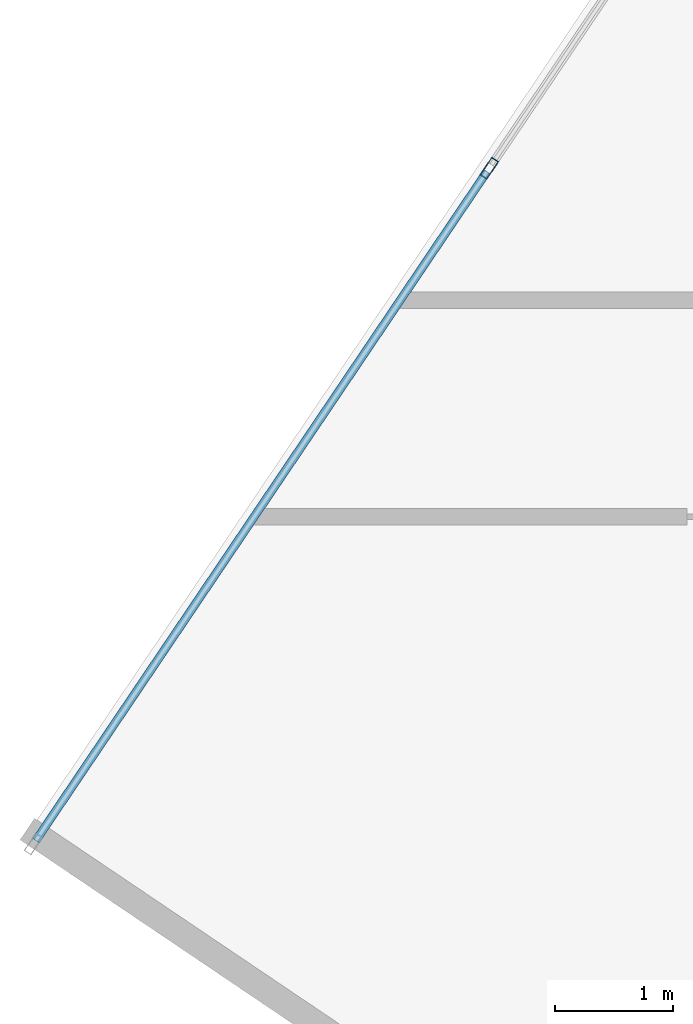
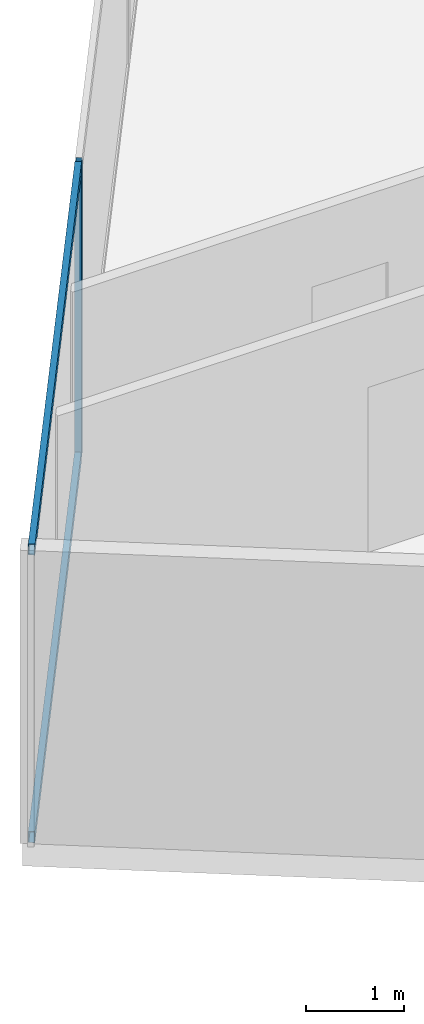
# One storey, part 7 of 27: 3 members, 1 element without a shape of its own.
"""IFC4 building model written with IfcOpenShell, lengths in metres."""

from ifc_helpers import new_model, si_unit, direction, frame, origin, origin_2d, place, context, subcontext, project, spatial, hollow_rectangle, extrude, source, transform, mapped, material, material_profile, profile_set, type_object, type_shapes, element, aggregate, save


model = new_model("IFC4")

# Units and contexts
model_context = context("Model", 3, precision=1e-05, world=origin(), true_north=direction((0.0, 1.0)))
body_context = subcontext(model_context, "Body", "Model", "MODEL_VIEW")
ifc_project = project(units=[si_unit("LENGTHUNIT", "METRE"), si_unit("AREAUNIT", "SQUARE_METRE"), si_unit("VOLUMEUNIT", "CUBIC_METRE"), si_unit("PLANEANGLEUNIT", "RADIAN"), si_unit("MASSUNIT", "GRAM", prefix="KILO")], contexts=[model_context])

# Site, building, storey
site_placement = place(None, origin())
site = spatial("IfcSite", under=ifc_project, at=site_placement, CompositionType="ELEMENT")
building_placement = place(site_placement, origin())
building = spatial("IfcBuilding", under=site, at=building_placement, Name="Krantzveldt Concourse Tower", CompositionType="ELEMENT")
storey_placement = place(building_placement, frame((0.0, 0.0, 185.699951171875)))
storey = spatial("IfcBuildingStorey", under=building, at=storey_placement, Name="L45", CompositionType="ELEMENT", Elevation=185.699951171875)

# Curtain wall, members
ifc_material = material(Name="Anodised aluminium 6063-T6", Category="aluminium")
curtain_wall_type = type_object("IfcCurtainWallType", Name="CW3", PredefinedType="USERDEFINED", material=ifc_material)
curtain_wall_placement = place(storey_placement, origin())
curtain_wall = element("IfcCurtainWall", 1, at=curtain_wall_placement, inside=storey, type_object=curtain_wall_type, Name="CW-L45-F01", ObjectType="UNITISED CURTAIN WALL", PredefinedType="USERDEFINED")
ifc_material_profile_1 = material_profile(ifc_material, hollow_rectangle(XDim=0.070068359375, YDim=0.179931640625, WallThickness=0.0048828125, at=origin_2d()), Name="Anodised aluminium 6063-T6", Category="aluminium")
ifc_profile_set_1 = profile_set([ifc_material_profile_1], Name="Anodised aluminium 6063-T6 - ALU-MULL 180x70x5")
member_type_1 = type_object("IfcMemberType", Name="CW-MUL-180", PredefinedType="MULLION", material=ifc_profile_set_1)
shared_shape_1 = source(origin(), body_context, "Body", "SweptSolid", [
    extrude(hollow_rectangle(XDim=0.070068359375, YDim=0.179931640625, WallThickness=0.0048828125, at=origin_2d()), origin(), (0.0, 0.0, 1.0), 3.670166015625),
])
type_shapes(member_type_1, [shared_shape_1])
member_1_placement = place(storey_placement, frame((12.080810546875, 30.24072265625, 0.0), z_axis=(0.0, 0.0, 1.0), x_axis=(0.829037635301, -0.559192810447, 0.0)))
member_1 = element("IfcMember", 2, at=member_1_placement, type_object=member_type_1, Name="CW-Z34 mullion 5", PredefinedType="MULLION", context=body_context, shape_type="MappedRepresentation", body=[
    mapped(shared_shape_1, transform((0.0, 0.0, 0.0), x_axis=(1.0, 0.0, 0.0), y_axis=(0.0, 1.0, 0.0), z_axis=(0.0, 0.0, 1.0), scale=1.0)),
])
ifc_material_profile_2 = material_profile(ifc_material, hollow_rectangle(XDim=0.070068359375, YDim=0.139892578125, WallThickness=0.0048828125, at=origin_2d()), Name="Anodised aluminium 6063-T6", Category="aluminium")
ifc_profile_set_2 = profile_set([ifc_material_profile_2], Name="Anodised aluminium 6063-T6 - ALU-TRAN 140x70x5")
member_type_2 = type_object("IfcMemberType", Name="CW-TRN-150", PredefinedType="USERDEFINED", material=ifc_profile_set_2)
shared_shape_2 = source(origin(), body_context, "Body", "SweptSolid", [
    extrude(hollow_rectangle(XDim=0.070068359375, YDim=0.139892578125, WallThickness=0.0048828125, at=origin_2d()), origin(), (0.0, 0.0, 1.0), 6.85498046875),
])
type_shapes(member_type_2, [shared_shape_2])
member_2_placement = place(storey_placement, frame((12.06103515625, 30.2119140625, 0.03515625), z_axis=(-0.559187781281, -0.829041027493, 0.0), x_axis=(0.829041027493, -0.559187781281, 0.0)))
member_2 = element("IfcMember", 3, at=member_2_placement, type_object=member_type_2, Name="CW-Z34 transom 5.1", ObjectType="TRANSOM", PredefinedType="USERDEFINED", context=body_context, shape_type="MappedRepresentation", body=[
    mapped(shared_shape_2, transform((0.0, 0.0, 0.0), x_axis=(1.0, 0.0, 0.0), y_axis=(0.0, 1.0, 0.0), z_axis=(0.0, 0.0, 1.0), scale=1.0)),
])
member_3_placement = place(storey_placement, frame((12.06103515625, 30.2119140625, 3.635009765625), z_axis=(-0.559187781281, -0.829041027493, 0.0), x_axis=(0.829041027493, -0.559187781281, 0.0)))
member_3 = element("IfcMember", 4, at=member_3_placement, type_object=member_type_2, Name="CW-Z34 transom 5.2", ObjectType="TRANSOM", PredefinedType="USERDEFINED", context=body_context, shape_type="MappedRepresentation", body=[
    mapped(shared_shape_2, transform((0.0, 0.0, 0.0), x_axis=(1.0, 0.0, 0.0), y_axis=(0.0, 1.0, 0.0), z_axis=(0.0, 0.0, 1.0), scale=1.0)),
])
aggregate(curtain_wall, [member_1, member_2, member_3])

save(model, "model.ifc")
